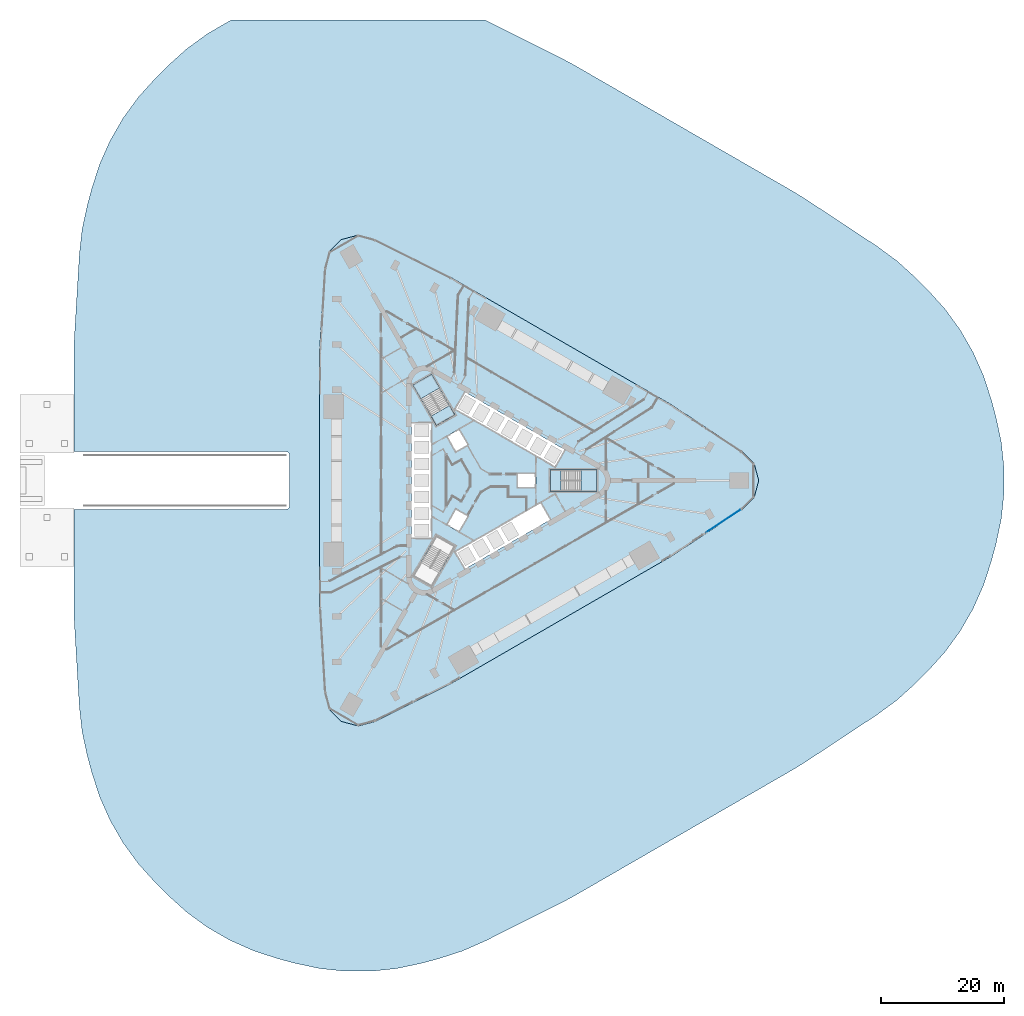
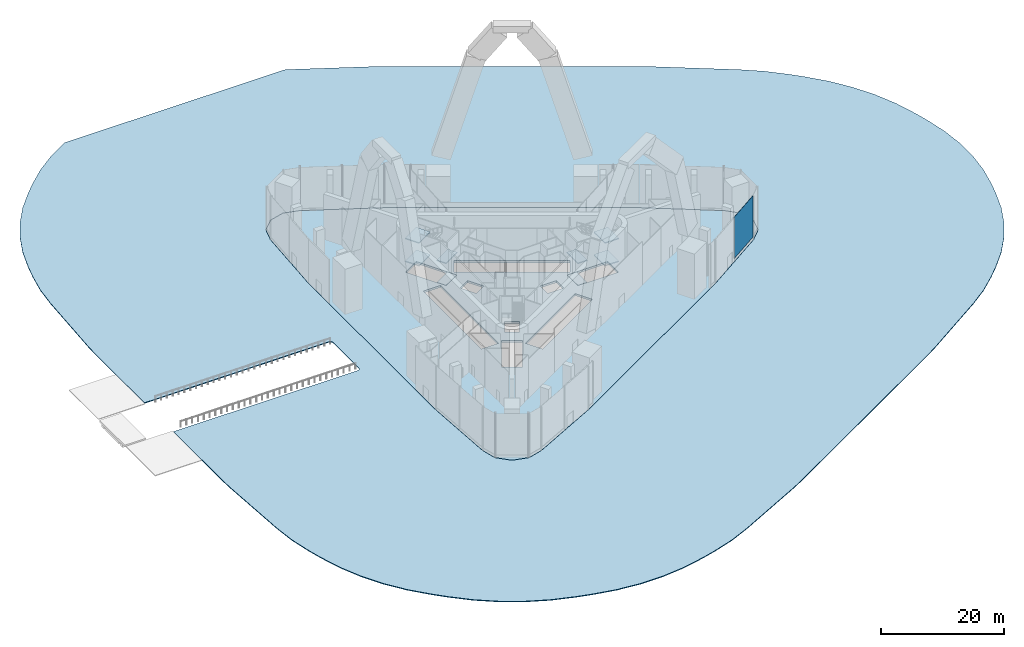
# One storey, part 11 of 22: 10 slabs, 1 plate, 3 elements without a shape of their own.
"""IFC4 building model written with IfcOpenShell, lengths in metres."""

from ifc_helpers import new_model, si_unit, direction, frame, origin, origin_2d, place, context, subcontext, project, spatial, polyline, rectangle, outline, extrude, material, layer, layer_set, type_object, element, aggregate, save


model = new_model("IFC4")

# Units and contexts
model_context = context("Model", 3, precision=1e-05, world=origin(), true_north=direction((0.0, 1.0)))
body_context = subcontext(model_context, "Body", "Model", "MODEL_VIEW")
ifc_project = project(units=[si_unit("LENGTHUNIT", "METRE"), si_unit("AREAUNIT", "SQUARE_METRE"), si_unit("VOLUMEUNIT", "CUBIC_METRE"), si_unit("PLANEANGLEUNIT", "RADIAN"), si_unit("MASSUNIT", "GRAM", prefix="KILO")], contexts=[model_context])

# Site, building, storey
site_placement = place(None, origin())
site = spatial("IfcSite", under=ifc_project, at=site_placement, CompositionType="ELEMENT")
building_placement = place(site_placement, origin())
building = spatial("IfcBuilding", under=site, at=building_placement, Name="Tanit Gate Tower", CompositionType="ELEMENT")
storey_placement = place(building_placement, origin())
storey = spatial("IfcBuildingStorey", under=building, at=storey_placement, Name="L00", CompositionType="ELEMENT", Elevation=0.0)

# Curtain wall, plate
ifc_material_1 = material(Name="Aluminium bronze anodised and glass", Category="aluminium")
curtain_wall_type = type_object("IfcCurtainWallType", Name="Curtain wall shopfront", PredefinedType="NOTDEFINED", material=ifc_material_1)
curtain_wall_placement = place(storey_placement, origin())
curtain_wall = element("IfcCurtainWall", 1, at=curtain_wall_placement, inside=storey, type_object=curtain_wall_type, Name="Curtain wall L00 SE3b", PredefinedType="NOTDEFINED")
ifc_material_2 = material(Name="Glass tinted laminated safety", Category="glass")
ifc_layer_1 = layer(ifc_material_2, 0.0380859375)
ifc_layer_set_1 = layer_set([ifc_layer_1], Name="Glass panel 38 shopfront")
plate_type = type_object("IfcPlateType", Name="Glass panel 38 shopfront", PredefinedType="CURTAIN_PANEL", material=ifc_layer_set_1)
plate_placement = place(storey_placement, frame((39.607421875, -6.56591796875, 0.5), z_axis=(0.0, 0.0, 1.0), x_axis=(0.834683348898, 0.550730158129, 0.0)))
plate = element("IfcPlate", 2, at=plate_placement, type_object=plate_type, Name="Glass panel L00 SE3b.1", PredefinedType="CURTAIN_PANEL", context=body_context, shape_type="SweptSolid", body=[
    extrude(rectangle(XDim=6.74072265625, YDim=0.0380859375, at=origin_2d()), origin(), (0.0, 0.0, 1.0), 8.199951171875),
])
aggregate(curtain_wall, [plate])

# Stair, slabs
ifc_material_3 = material(Name="Concrete C40/50", Category="concrete")
stair_type = type_object("IfcStairType", Name="INT-STAIR-EXIT", PredefinedType="HALF_TURN_STAIR", material=ifc_material_3)
stair_1_placement = place(storey_placement, origin())
stair_1 = element("IfcStair", 3, at=stair_1_placement, inside=storey, type_object=stair_type, Name="L00 STAIR S1", PredefinedType="HALF_TURN_STAIR")
ifc_material_4 = material(Name="Concrete C40/50", Category="concrete")
ifc_layer_2 = layer(ifc_material_4, 0.199951171875)
ifc_layer_set_2 = layer_set([ifc_layer_2], Name="INT-STAIR-LANDING")
slab_type_1 = type_object("IfcSlabType", Name="INT-STAIR-LANDING", PredefinedType="LANDING", material=ifc_layer_set_2)
slab_1_placement = place(storey_placement, frame((0.0, 0.0, 2.050048828125)))
slab_1 = element("IfcSlab", 4, at=slab_1_placement, type_object=slab_type_1, Name="S1 landing 1", PredefinedType="LANDING", context=body_context, shape_type="SweptSolid", body=[
    extrude(outline(polyline([(16.385009765625, -1.800048828125), (19.0, -1.800048828125), (19.0, 1.800048828125), (16.385009765625, 1.800048828125), (16.385009765625, -1.800048828125)])), origin(), (0.0, 0.0, 1.0), 0.199951171875),
])
slab_2_placement = place(storey_placement, frame((0.0, 0.0, 4.300048828125)))
slab_2 = element("IfcSlab", 5, at=slab_2_placement, type_object=slab_type_1, Name="S1 landing 2", PredefinedType="LANDING", context=body_context, shape_type="SweptSolid", body=[
    extrude(outline(polyline([(11.300048828125, -1.800048828125), (13.10498046875, -1.800048828125), (13.10498046875, 1.800048828125), (11.300048828125, 1.800048828125), (11.300048828125, -1.800048828125)])), origin(), (0.0, 0.0, 1.0), 0.199951171875),
])
slab_3_placement = place(storey_placement, frame((0.0, 0.0, 6.550048828125)))
slab_3 = element("IfcSlab", 6, at=slab_3_placement, type_object=slab_type_1, Name="S1 landing 3", PredefinedType="LANDING", context=body_context, shape_type="SweptSolid", body=[
    extrude(outline(polyline([(16.385009765625, -1.800048828125), (19.0, -1.800048828125), (19.0, 1.800048828125), (16.385009765625, 1.800048828125), (16.385009765625, -1.800048828125)])), origin(), (0.0, 0.0, 1.0), 0.199951171875),
])
aggregate(stair_1, [slab_1, slab_2, slab_3])

# Slab
slab_4_placement = place(storey_placement, frame((0.0, 0.0, -0.199951171875)))
element("IfcSlab", 7, at=slab_4_placement, inside=storey, type_object=slab_type_1, Name="S1 floor landing", PredefinedType="LANDING", context=body_context, shape_type="SweptSolid", body=[
    extrude(outline(polyline([(11.3798828125, -1.719970703125), (13.10498046875, -1.719970703125), (13.10498046875, 1.719970703125), (11.3798828125, 1.719970703125), (11.3798828125, -1.719970703125)])), origin(), (0.0, 0.0, 1.0), 0.199951171875),
])

# Stair, slabs
stair_2_placement = place(storey_placement, origin())
stair_2 = element("IfcStair", 8, at=stair_2_placement, inside=storey, type_object=stair_type, Name="L00 STAIR S2", PredefinedType="HALF_TURN_STAIR")
slab_5_placement = place(storey_placement, frame((0.0, 0.0, 2.050048828125)))
slab_5 = element("IfcSlab", 9, at=slab_5_placement, type_object=slab_type_1, Name="S2 landing 1", PredefinedType="LANDING", context=body_context, shape_type="SweptSolid", body=[
    extrude(outline(polyline([(-6.633056640625, 15.0888671875), (-7.941162109375, 17.3544921875), (-11.058837890625, 15.554443359375), (-9.750732421875, 13.2890625), (-6.633056640625, 15.0888671875)])), origin(), (0.0, 0.0, 1.0), 0.199951171875),
])
slab_6_placement = place(storey_placement, frame((0.0, 0.0, 4.300048828125)))
slab_6 = element("IfcSlab", 10, at=slab_6_placement, type_object=slab_type_1, Name="S2 landing 2", PredefinedType="LANDING", context=body_context, shape_type="SweptSolid", body=[
    extrude(outline(polyline([(-4.091064453125, 10.68603515625), (-4.9931640625, 12.248291015625), (-8.11083984375, 10.448486328125), (-7.208740234375, 8.885986328125), (-4.091064453125, 10.68603515625)])), origin(), (0.0, 0.0, 1.0), 0.199951171875),
])
slab_7_placement = place(storey_placement, frame((0.0, 0.0, 6.550048828125)))
slab_7 = element("IfcSlab", 11, at=slab_7_placement, type_object=slab_type_1, Name="S2 landing 3", PredefinedType="LANDING", context=body_context, shape_type="SweptSolid", body=[
    extrude(outline(polyline([(-6.633056640625, 15.0888671875), (-7.941162109375, 17.3544921875), (-11.058837890625, 15.554443359375), (-9.750732421875, 13.2890625), (-6.633056640625, 15.0888671875)])), origin(), (0.0, 0.0, 1.0), 0.199951171875),
])
aggregate(stair_2, [slab_5, slab_6, slab_7])

# Slabs
slab_8_placement = place(storey_placement, frame((0.0, 0.0, -0.199951171875)))
element("IfcSlab", 12, at=slab_8_placement, inside=storey, type_object=slab_type_1, Name="S2 floor landing", PredefinedType="LANDING", context=body_context, shape_type="SweptSolid", body=[
    extrude(outline(polyline([(-4.200439453125, 10.71533203125), (-5.0625, 12.20849609375), (-8.04150390625, 10.48828125), (-7.179443359375, 8.995361328125), (-4.200439453125, 10.71533203125)])), origin(), (0.0, 0.0, 1.0), 0.199951171875),
])
ifc_material_5 = material(Name="Concrete C35/45", Category="concrete")
ifc_layer_3 = layer(ifc_material_5, 0.39990234375)
ifc_layer_set_3 = layer_set([ifc_layer_3], Name="PLAZA FLOOR SLAB 400 C35/45")
slab_type_2 = type_object("IfcSlabType", Name="PLAZA FLOOR SLAB 400 C35/45", PredefinedType="FLOOR", material=ifc_layer_set_3)
slab_9_placement = place(storey_placement, frame((0.0, 0.0, -0.39990234375)))
element("IfcSlab", 13, at=slab_9_placement, inside=storey, type_object=slab_type_2, Name="FLOOR SLAB L00", PredefinedType="FLOOR", context=body_context, shape_type="SweptSolid", body=[
    extrude(outline(polyline([(44.574951171875, 2.747802734375), (45.311279296875, 0.0), (44.574951171875, -2.747802734375), (42.5634765625, -4.75927734375), (31.030517578125, -12.368896484375), (-4.80224609375, -33.06005859375), (-17.16015625, -39.24072265625), (-19.907958984375, -39.97705078125), (-22.655517578125, -39.24072265625), (-24.6669921875, -37.229248046875), (-25.4033203125, -34.4814453125), (-26.22705078125, -20.68896484375), (-26.229736328125, 20.68896484375), (-25.4033203125, 34.4814453125), (-24.6669921875, 37.229248046875), (-22.655517578125, 39.24072265625), (-19.907958984375, 39.97705078125), (-17.16015625, 39.24072265625), (-4.8037109375, 33.0576171875), (31.031982421875, 12.371337890625), (42.5634765625, 4.75927734375), (44.574951171875, 2.747802734375)]), holes=[polyline([(11.3701171875, 1.72998046875), (18.929931640625, 1.72998046875), (18.929931640625, -1.72998046875), (11.3701171875, -1.72998046875), (11.3701171875, 1.72998046875)]), polyline([(-4.208984375, 11.60986328125), (-2.583984375, 14.424560546875), (13.783935546875, 4.974609375), (12.158935546875, 2.159912109375), (-4.208984375, 11.60986328125)]), polyline([(-4.208984375, -11.60986328125), (9.82080078125, -3.510009765625), (11.44580078125, -6.324462890625), (-2.583984375, -14.424560546875), (-4.208984375, -11.60986328125)]), polyline([(9.0, 1.199951171875), (9.0, -1.199951171875), (6.0, -1.199951171875), (6.0, 1.199951171875), (9.0, 1.199951171875)]), polyline([(-5.539306640625, 7.194091796875), (-3.460693359375, 8.394287109375), (-1.960693359375, 5.796142578125), (-4.039306640625, 4.59619140625), (-5.539306640625, 7.194091796875)]), polyline([(-1.960693359375, -5.796142578125), (-3.460693359375, -8.394287109375), (-5.539306640625, -7.194091796875), (-4.039306640625, -4.59619140625), (-1.960693359375, -5.796142578125)]), polyline([(-10.963134765625, 15.52880859375), (-7.966796875, 17.2587890625), (-4.186767578125, 10.711669921875), (-7.18310546875, 8.981689453125), (-10.963134765625, 15.52880859375)]), polyline([(-4.186767578125, -10.711669921875), (-7.966796875, -17.2587890625), (-10.963134765625, -15.52880859375), (-7.18310546875, -8.981689453125), (-4.186767578125, -10.711669921875)]), polyline([(-11.199951171875, -9.449951171875), (-11.199951171875, 9.449951171875), (-7.949951171875, 9.449951171875), (-7.949951171875, -9.449951171875), (-11.199951171875, -9.449951171875)])]), origin(), (0.0, 0.0, 1.0), 0.39990234375),
])
ifc_material_6 = material(Name="Concrete paving C35/45", Category="concrete")
ifc_layer_4 = layer(ifc_material_6, 0.14990234375)
ifc_layer_set_4 = layer_set([ifc_layer_4], Name="Plaza paving stone 80")
slab_type_3 = type_object("IfcSlabType", Name="Plaza paving stone 80", PredefinedType="USERDEFINED", material=ifc_layer_set_4)
slab_10_placement = place(storey_placement, frame((0.0, 0.0, -0.14990234375)))
element("IfcSlab", 14, at=slab_10_placement, inside=storey, type_object=slab_type_3, Name="Forecourt paving", ObjectType="PAVING", PredefinedType="USERDEFINED", context=body_context, shape_type="SweptSolid", body=[
    extrude(outline(polyline([(15.194091796875, 67.699951171875), (51.029541015625, 47.013671875), (53.068115234375, 45.754150390625), (64.599609375, 38.14208984375), (67.8525390625, 35.750732421875), (70.84765625, 33.04345703125), (72.859375, 31.031982421875), (75.660888671875, 27.920654296875), (78.121826171875, 24.533447265625), (80.21533203125, 20.907470703125), (81.918212890625, 17.08251953125), (83.212158203125, 13.1005859375), (83.9482421875, 10.352783203125), (84.81884765625, 6.25732421875), (85.25634765625, 2.093505859375), (85.25634765625, -2.093505859375), (84.81884765625, -6.25732421875), (83.9482421875, -10.352783203125), (83.212158203125, -13.1005859375), (81.918212890625, -17.08251953125), (80.21533203125, -20.907470703125), (78.121826171875, -24.533447265625), (75.660888671875, -27.920654296875), (72.859375, -31.031982421875), (70.84765625, -33.04345703125), (67.849365234375, -35.753173828125), (64.5927734375, -38.146728515625), (53.059814453125, -45.756103515625), (51.032958984375, -47.008544921875), (15.2001953125, -67.69970703125), (13.090087890625, -68.83544921875), (0.732177734375, -75.015869140625), (-2.96533203125, -76.637451171875), (-6.807373046875, -77.877685546875), (-9.55517578125, -78.614013671875), (-13.650390625, -79.484619140625), (-17.814453125, -79.922119140625), (-22.001220703125, -79.922119140625), (-26.165283203125, -79.484619140625), (-30.2607421875, -78.614013671875), (-33.00830078125, -77.877685546875), (-36.990234375, -76.583984375), (-40.815185546875, -74.880859375), (-44.441162109375, -72.78759765625), (-47.828369140625, -70.32666015625), (-50.93994140625, -67.52490234375), (-52.951416015625, -65.513427734375), (-55.7529296875, -62.402099609375), (-58.2138671875, -59.0146484375), (-60.307373046875, -55.388916015625), (-62.01025390625, -51.56396484375), (-63.30419921875, -47.58203125), (-64.04052734375, -44.834228515625), (-64.887939453125, -40.882568359375), (-65.332275390625, -36.86572265625), (-66.15576171875, -23.072998046875), (-66.22705078125, -20.691650390625), (-66.22802734375, -4.699951171875), (-31.719970703125, -4.699951171875), (-31.6611328125, -4.697021484375), (-31.60302734375, -4.6884765625), (-31.5458984375, -4.674072265625), (-31.490478515625, -4.654296875), (-31.437255859375, -4.629150390625), (-31.38671875, -4.598876953125), (-31.33935546875, -4.563720703125), (-31.295654296875, -4.524169921875), (-31.256103515625, -4.480712890625), (-31.22119140625, -4.433349609375), (-31.19091796875, -4.3828125), (-31.165771484375, -4.32958984375), (-31.145751953125, -4.274169921875), (-31.131591796875, -4.217041015625), (-31.122802734375, -4.15869140625), (-31.1201171875, -4.10009765625), (-31.1201171875, 4.10009765625), (-31.122802734375, 4.15869140625), (-31.131591796875, 4.217041015625), (-31.145751953125, 4.274169921875), (-31.165771484375, 4.32958984375), (-31.19091796875, 4.3828125), (-31.22119140625, 4.433349609375), (-31.256103515625, 4.480712890625), (-31.295654296875, 4.524169921875), (-31.33935546875, 4.563720703125), (-31.38671875, 4.598876953125), (-31.437255859375, 4.629150390625), (-31.490478515625, 4.654296875), (-31.5458984375, 4.674072265625), (-31.60302734375, 4.6884765625), (-31.6611328125, 4.697021484375), (-31.719970703125, 4.699951171875), (-66.228759765625, 4.699951171875), (-66.229736328125, 20.68603515625), (-66.158203125, 23.081298828125), (-65.331787109375, 36.873779296875), (-64.88720703125, 40.88671875), (-64.04052734375, 44.834228515625), (-63.30419921875, 47.58203125), (-62.01025390625, 51.56396484375), (-60.307373046875, 55.388916015625), (-58.2138671875, 59.0146484375), (-55.7529296875, 62.402099609375), (-52.951416015625, 65.513427734375), (-50.93994140625, 67.52490234375), (-47.828369140625, 70.32666015625), (-44.441162109375, 72.78759765625), (-40.815185546875, 74.880859375), (-40.5478515625, 75.0), (0.763916015625, 75.0), (13.09619140625, 68.8291015625), (15.194091796875, 67.699951171875)]), holes=[polyline([(-4.803466796875, 33.0576171875), (-17.16015625, 39.24072265625), (-19.907958984375, 39.97705078125), (-22.655517578125, 39.24072265625), (-24.667236328125, 37.229248046875), (-25.4033203125, 34.4814453125), (-26.229736328125, 20.68896484375), (-26.22705078125, -20.68896484375), (-25.4033203125, -34.4814453125), (-24.667236328125, -37.229248046875), (-22.655517578125, -39.24072265625), (-19.907958984375, -39.97705078125), (-17.16015625, -39.24072265625), (-4.80224609375, -33.06005859375), (31.030517578125, -12.368896484375), (42.5634765625, -4.75927734375), (44.574951171875, -2.747802734375), (45.311279296875, 0.0), (44.574951171875, 2.747802734375), (42.5634765625, 4.75927734375), (31.031982421875, 12.371337890625), (-4.803466796875, 33.0576171875)])]), origin(), (0.0, 0.0, 1.0), 0.14990234375),
])

save(model, "model.ifc")
